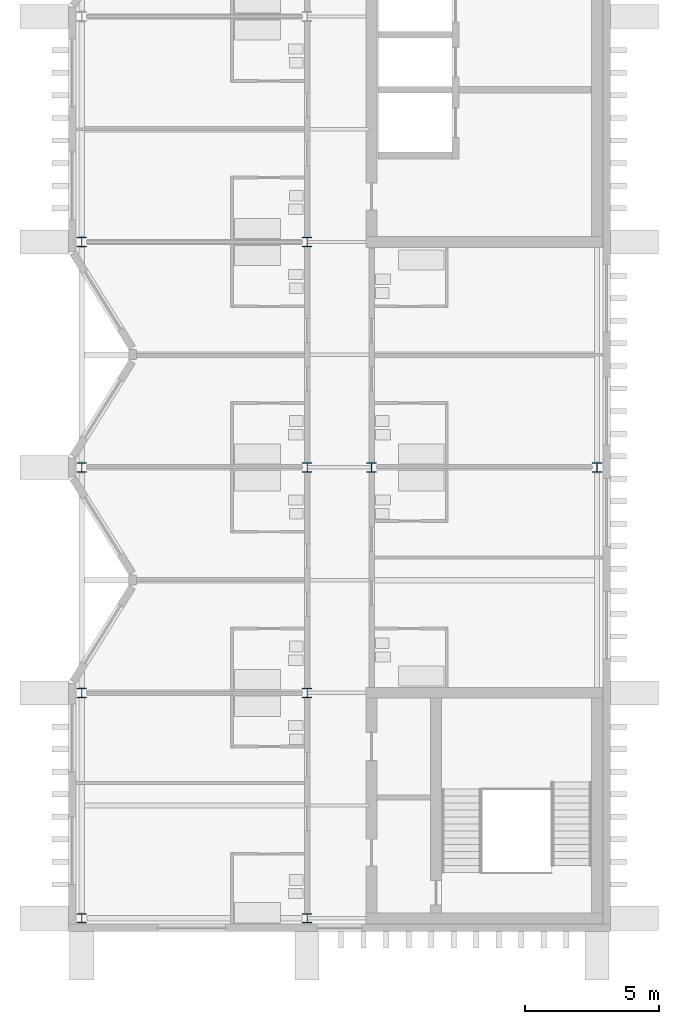
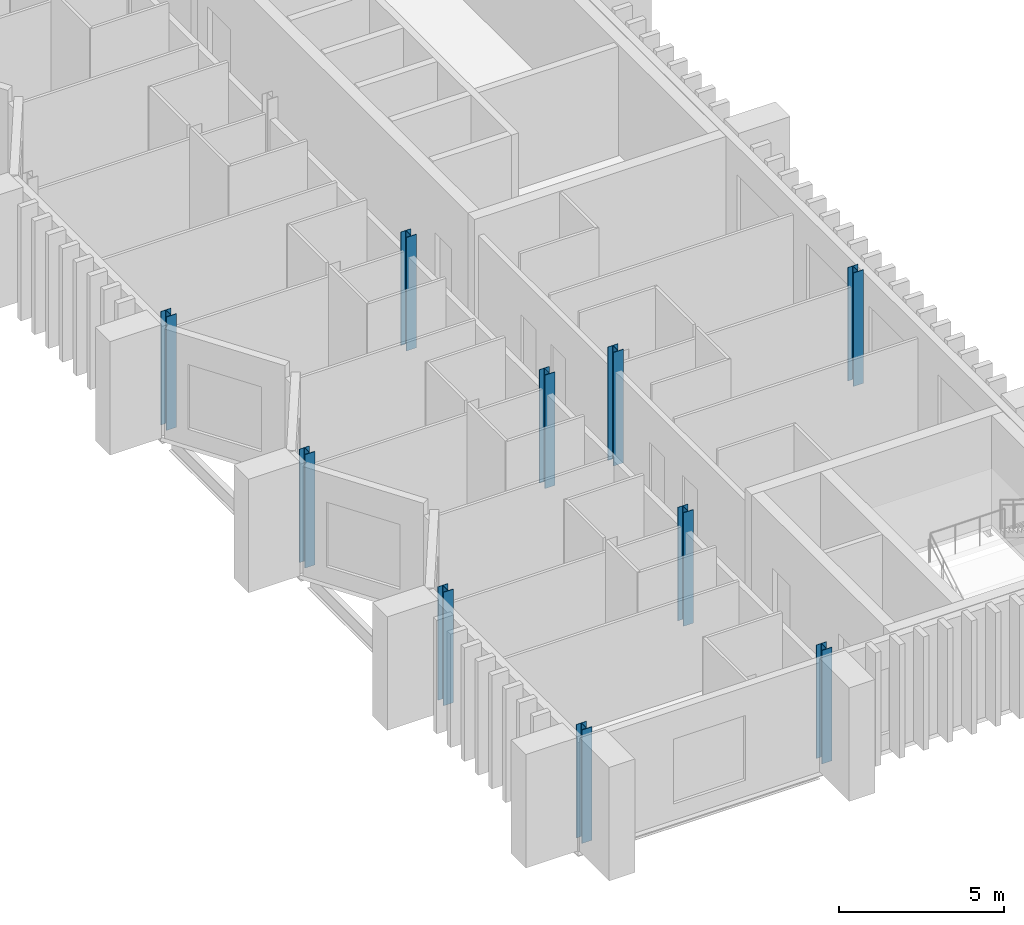
# One storey, part 1 of 11: 10 columns.
"""IFC4 building model written with IfcOpenShell, lengths in metres."""

from ifc_helpers import new_model, si_unit, direction, frame, origin, origin_2d, place, context, subcontext, project, spatial, i_section, extrude, material, material_profile, profile_set, type_object, element, save


model = new_model("IFC4")

# Units and contexts
model_context = context("Model", 3, precision=1e-05, world=origin(), true_north=direction((0.0, 1.0)))
body_context = subcontext(model_context, "Body", "Model", "MODEL_VIEW")
ifc_project = project(units=[si_unit("LENGTHUNIT", "METRE"), si_unit("AREAUNIT", "SQUARE_METRE"), si_unit("VOLUMEUNIT", "CUBIC_METRE"), si_unit("PLANEANGLEUNIT", "RADIAN"), si_unit("MASSUNIT", "GRAM", prefix="KILO")], contexts=[model_context])

# Site, building, storey
site_placement = place(None, origin())
site = spatial("IfcSite", under=ifc_project, at=site_placement, CompositionType="ELEMENT")
building_placement = place(site_placement, origin())
building = spatial("IfcBuilding", under=site, at=building_placement, Name="Cresset Court Congress Hotel", CompositionType="ELEMENT")
storey_placement = place(building_placement, frame((0.0, 0.0, 39.60009765625)))
storey = spatial("IfcBuildingStorey", under=building, at=storey_placement, Name="L09", CompositionType="ELEMENT", Elevation=39.60009765625)

# Columns
ifc_material = material(Name="Structural steel Q355B", Category="steel")
ifc_material_profile = material_profile(ifc_material, i_section(OverallWidth=0.35009765625, OverallDepth=0.35009765625, WebThickness=0.011962890625, FlangeThickness=0.01904296875, FilletRadius=0.012939453125, at=origin_2d()), Name="HW350x350x12x19")
ifc_profile_set = profile_set([ifc_material_profile], Name="Structural steel Q355B")
column_type = type_object("IfcColumnType", Name="Steel column HW350x350x12x19", PredefinedType="COLUMN", material=ifc_profile_set)
for number, where, z_axis, x_axis, name in (
    (1, (157.199951171875, 0.0, 0.0), (0.0, 0.0, 1.0), (1.0, 0.0, 0.0), "Column L09 1-20"),
    (2, (157.199951171875, 8.39990234375, 0.0), (0.0, 0.0, 1.0), (1.0, 0.0, 0.0), "Column L09 2-20"),
    (3, (157.199951171875, 16.800048828125, 0.0), (0.0, 0.0, 1.0), (1.0, 0.0, 0.0), "Column L09 3-20"),
    (4, (157.199951171875, 25.199951171875, 0.0), (0.0, 0.0, 1.0), (1.0, 0.0, 0.0), "Column L09 4-20"),
    (5, (165.60009765625, 0.0, 0.0), (0.0, 0.0, 1.0), (1.0, 0.0, 0.0), "Column L09 1-21"),
    (6, (165.60009765625, 8.39990234375, 0.0), (0.0, 0.0, 1.0), (1.0, 0.0, 0.0), "Column L09 2-21"),
    (7, (165.60009765625, 16.800048828125, 0.0), (0.0, 0.0, 1.0), (1.0, 0.0, 0.0), "Column L09 3-21"),
    (8, (165.60009765625, 25.199951171875, 0.0), (0.0, 0.0, 1.0), (1.0, 0.0, 0.0), "Column L09 4-21"),
    (9, (168.0, 16.800048828125, 0.0), (0.0, 0.0, 1.0), (1.0, 0.0, 0.0), "Column L09 3-22"),
    (10, (176.39990234375, 16.800048828125, 0.0), (0.0, 0.0, 1.0), (1.0, 0.0, 0.0), "Column L09 3-23"),
):
    element("IfcColumn", number, at=place(storey_placement, frame(where, z_axis=z_axis, x_axis=x_axis)), inside=storey, type_object=column_type, Name=name, PredefinedType="COLUMN", context=body_context, shape_type="SweptSolid", body=[
        extrude(i_section(OverallWidth=0.35009765625, OverallDepth=0.35009765625, WebThickness=0.011962890625, FlangeThickness=0.01904296875, FilletRadius=0.012939453125, at=origin_2d()), origin(), (0.0, 0.0, 1.0), 4.199951171875),
    ])

save(model, "model.ifc")
